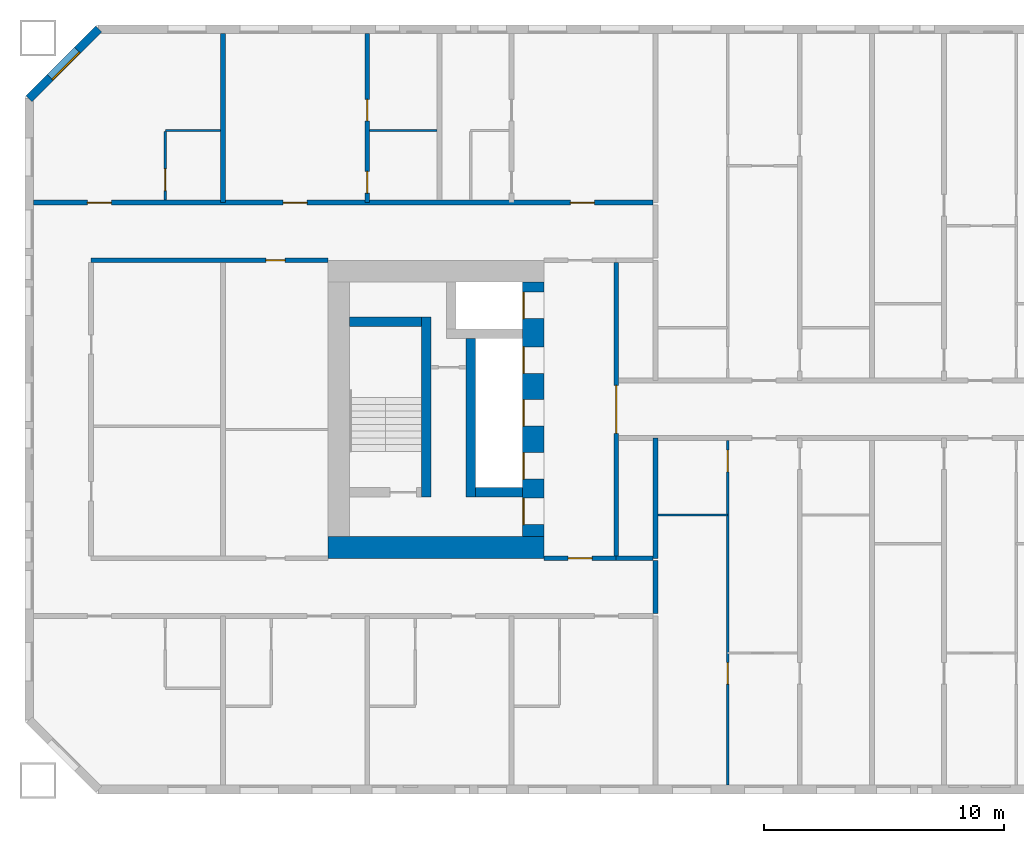
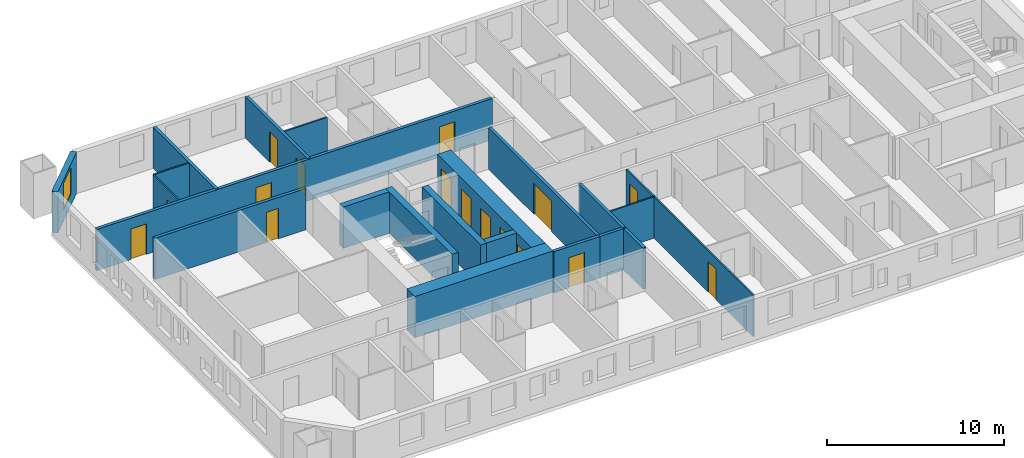
# One storey, part 4 of 17: 21 walls, 16 doors, 1 window, 17 openings.
"""IFC4 building model written with IfcOpenShell, lengths in metres."""

from ifc_helpers import new_model, si_unit, direction, frame, frame_2d, origin, place, context, subcontext, project, spatial, rectangle, extrude, material, layer, layer_set, type_object, element, fill, save


model = new_model("IFC4")

# Units and contexts
model_context = context("Model", 3, precision=1e-05, world=origin(), true_north=direction((0.0, 1.0)))
body_context = subcontext(model_context, "Body", "Model", "MODEL_VIEW")
ifc_project = project(units=[si_unit("LENGTHUNIT", "METRE"), si_unit("AREAUNIT", "SQUARE_METRE"), si_unit("VOLUMEUNIT", "CUBIC_METRE"), si_unit("PLANEANGLEUNIT", "RADIAN"), si_unit("MASSUNIT", "GRAM", prefix="KILO")], contexts=[model_context])

# Site, building, storey
site_placement = place(None, origin())
site = spatial("IfcSite", under=ifc_project, at=site_placement, CompositionType="ELEMENT")
building_placement = place(site_placement, origin())
building = spatial("IfcBuilding", under=site, at=building_placement, Name="Tuart Gate Housing", CompositionType="ELEMENT")
storey_placement = place(building_placement, frame((0.0, 0.0, 28.800048828125)))
storey = spatial("IfcBuildingStorey", under=building, at=storey_placement, Name="L07", CompositionType="ELEMENT", Elevation=28.800048828125)

# Wall, opening, window
ifc_material_1 = material(Name="Brick", Category="masonry")
ifc_layer_1 = layer(ifc_material_1, 0.360107421875)
ifc_layer_set_1 = layer_set([ifc_layer_1], Name="Brick pier and spandrel wall 360")
wall_type_1 = type_object("IfcWallType", Name="Brick pier and spandrel wall 360", PredefinedType="STANDARD", material=ifc_layer_set_1)
wall_1_placement = place(storey_placement, frame((22.82470703125, 85.820068359375, 0.0), z_axis=(0.0, 0.0, 1.0), x_axis=(-0.707106781187, -0.707106781187, 0.0)))
wall_1 = element("IfcWall", 1, at=wall_1_placement, inside=storey, type_object=wall_type_1, Name="External wall A-NW L07", PredefinedType="STANDARD", context=body_context, shape_type="SweptSolid", body=[
    extrude(rectangle(XDim=4.09375, YDim=0.360107421875, at=frame_2d((2.046875, 0.0))), origin(), (0.0, 0.0, 1.0), 2.849853515625),
])
opening_1_placement = place(wall_1_placement, frame((1.2470703125, 0.0, 0.800048828125)))
opening_1 = element("IfcOpeningElement", 2, at=opening_1_placement, cuts=wall_1, Name="Opening W1", PredefinedType="OPENING", context=body_context, shape_type="SweptSolid", body=[
    extrude(rectangle(XDim=1.60009765625, YDim=1.800048828125, at=frame_2d((0.800048828125, 0.89990234375))), frame((0.0, 0.18994140625, 0.0), z_axis=(0.0, -1.0, 0.0), x_axis=(1.0, 0.0, 0.0)), (0.0, 0.0, 1.0), 0.380126953125),
])
ifc_material_2 = material(Name="Aluminium frame with clear glass", Category="aluminium")
window_type = type_object("IfcWindowType", Name="Punched window 1600 x 1800", PartitioningType="SINGLE_PANEL", PredefinedType="WINDOW", material=ifc_material_2)
window_placement = place(opening_1_placement, origin())
window = element("IfcWindow", 3, at=window_placement, inside=storey, type_object=window_type, Name="Window W1", OverallHeight=1.800048828125, OverallWidth=1.60009765625, PartitioningType="SINGLE_PANEL", PredefinedType="WINDOW", context=body_context, shape_type="SweptSolid", body=[
    extrude(rectangle(XDim=1.60009765625, YDim=1.800048828125, at=frame_2d((0.800048828125, 0.89990234375))), frame((0.0, 0.150146484375, 0.0), z_axis=(0.0, -1.0, 0.0), x_axis=(1.0, 0.0, 0.0)), (0.0, 0.0, 1.0), 0.06005859375),
])
fill(opening_1, window)

# Walls
ifc_material_3 = material(Name="Concrete C60", Category="concrete")
ifc_layer_2 = layer(ifc_material_3, 0.39990234375)
ifc_layer_set_2 = layer_set([ifc_layer_2], Name="Core wall 400 C60")
wall_type_2 = type_object("IfcWallType", Name="Core wall 400 C60", PredefinedType="SHEAR", material=ifc_layer_set_2)
wall_2_placement = place(storey_placement, frame((36.260009765625, 73.64990234375, 0.0), z_axis=(0.0, 0.0, 1.0), x_axis=(-1.0, 0.0, 0.0)))
element("IfcWall", 4, at=wall_2_placement, inside=storey, type_object=wall_type_2, Name="Core wall AK.1", PredefinedType="SHEAR", context=body_context, shape_type="SweptSolid", body=[
    extrude(rectangle(XDim=3.0, YDim=0.39990234375, at=frame_2d((1.5, 0.0))), origin(), (0.0, 0.0, 1.0), 2.849853515625),
])
wall_3_placement = place(storey_placement, frame((40.4599609375, 66.550048828125, 0.0), z_axis=(0.0, 0.0, 1.0), x_axis=(-1.0, 0.0, 0.0)))
element("IfcWall", 5, at=wall_3_placement, inside=storey, type_object=wall_type_2, Name="Core wall AK.4", PredefinedType="SHEAR", context=body_context, shape_type="SweptSolid", body=[
    extrude(rectangle(XDim=1.949951171875, YDim=0.39990234375, at=frame_2d((0.97509765625, 0.0))), origin(), (0.0, 0.0, 1.0), 2.849853515625),
])
wall_4_placement = place(storey_placement, frame((38.31005859375, 72.949951171875, 0.0), z_axis=(0.0, 0.0, 1.0), x_axis=(0.0, -1.0, 0.0)))
element("IfcWall", 6, at=wall_4_placement, inside=storey, type_object=wall_type_2, Name="Core wall AK.6", PredefinedType="SHEAR", context=body_context, shape_type="SweptSolid", body=[
    extrude(rectangle(XDim=6.599853515625, YDim=0.39990234375, at=frame_2d((3.2998046875, 0.0))), origin(), (0.0, 0.0, 1.0), 2.849853515625),
])
wall_5_placement = place(storey_placement, frame((36.4599609375, 73.85009765625, 0.0), z_axis=(0.0, 0.0, 1.0), x_axis=(0.0, -1.0, 0.0)))
element("IfcWall", 7, at=wall_5_placement, inside=storey, type_object=wall_type_2, Name="Core wall AK.8", PredefinedType="SHEAR", context=body_context, shape_type="SweptSolid", body=[
    extrude(rectangle(XDim=7.5, YDim=0.39990234375, at=frame_2d((3.75, 0.0))), origin(), (0.0, 0.0, 1.0), 2.849853515625),
])

# Wall, openings, doors
ifc_material_4 = material(Name="Concrete C60", Category="concrete")
ifc_layer_3 = layer(ifc_material_4, 0.89990234375)
ifc_layer_set_3 = layer_set([ifc_layer_3], Name="Core wall 900 C60")
wall_type_3 = type_object("IfcWallType", Name="Core wall 900 C60", PredefinedType="SHEAR", material=ifc_layer_set_3)
wall_6_placement = place(storey_placement, frame((40.909912109375, 75.300048828125, 0.0), z_axis=(0.0, 0.0, 1.0), x_axis=(0.0, -1.0, 0.0)))
wall_6 = element("IfcWall", 8, at=wall_6_placement, inside=storey, type_object=wall_type_3, Name="Core wall AK front", PredefinedType="SHEAR", context=body_context, shape_type="SweptSolid", body=[
    extrude(rectangle(XDim=10.60009765625, YDim=0.89990234375, at=frame_2d((5.300048828125, 0.0))), origin(), (0.0, 0.0, 1.0), 2.849853515625),
])
opening_2_placement = place(wall_6_placement, frame((0.425048828125, 0.0, 0.0)))
opening_2 = element("IfcOpeningElement", 9, at=opening_2_placement, cuts=wall_6, Name="Opening LD-FA2", PredefinedType="OPENING", context=body_context, shape_type="SweptSolid", body=[
    extrude(rectangle(XDim=1.10009765625, YDim=2.10009765625, at=frame_2d((0.550048828125, 1.050048828125))), frame((0.0, 0.4599609375, 0.0), z_axis=(0.0, -1.0, 0.0), x_axis=(1.0, 0.0, 0.0)), (0.0, 0.0, 1.0), 0.919921875),
])
opening_3_placement = place(wall_6_placement, frame((2.699951171875, 0.0, 0.0)))
opening_3 = element("IfcOpeningElement", 10, at=opening_3_placement, cuts=wall_6, Name="Opening LD-LA4", PredefinedType="OPENING", context=body_context, shape_type="SweptSolid", body=[
    extrude(rectangle(XDim=1.10009765625, YDim=2.10009765625, at=frame_2d((0.550048828125, 1.050048828125))), frame((0.0, 0.4599609375, 0.0), z_axis=(0.0, -1.0, 0.0), x_axis=(1.0, 0.0, 0.0)), (0.0, 0.0, 1.0), 0.919921875),
])
opening_4_placement = place(wall_6_placement, frame((4.89990234375, 0.0, 0.0)))
opening_4 = element("IfcOpeningElement", 11, at=opening_4_placement, cuts=wall_6, Name="Opening LD-LA5", PredefinedType="OPENING", context=body_context, shape_type="SweptSolid", body=[
    extrude(rectangle(XDim=1.10009765625, YDim=2.10009765625, at=frame_2d((0.550048828125, 1.050048828125))), frame((0.0, 0.4599609375, 0.0), z_axis=(0.0, -1.0, 0.0), x_axis=(1.0, 0.0, 0.0)), (0.0, 0.0, 1.0), 0.919921875),
])
opening_5_placement = place(wall_6_placement, frame((7.10009765625, 0.0, 0.0)))
opening_5 = element("IfcOpeningElement", 12, at=opening_5_placement, cuts=wall_6, Name="Opening LD-LA6", PredefinedType="OPENING", context=body_context, shape_type="SweptSolid", body=[
    extrude(rectangle(XDim=1.10009765625, YDim=2.10009765625, at=frame_2d((0.550048828125, 1.050048828125))), frame((0.0, 0.4599609375, 0.0), z_axis=(0.0, -1.0, 0.0), x_axis=(1.0, 0.0, 0.0)), (0.0, 0.0, 1.0), 0.919921875),
])
opening_6_placement = place(wall_6_placement, frame((9.0, 0.0, 0.0)))
opening_6 = element("IfcOpeningElement", 13, at=opening_6_placement, cuts=wall_6, Name="Opening D498", PredefinedType="OPENING", context=body_context, shape_type="SweptSolid", body=[
    extrude(rectangle(XDim=1.10009765625, YDim=2.10009765625, at=frame_2d((0.550048828125, 1.050048828125))), frame((0.0, 0.4599609375, 0.0), z_axis=(0.0, -1.0, 0.0), x_axis=(1.0, 0.0, 0.0)), (0.0, 0.0, 1.0), 0.919921875),
])
ifc_material_5 = material(Name="Stainless steel", Category="steel")
door_type_1 = type_object("IfcDoorType", Name="Landing door 1100 x 2100", OperationType="DOUBLE_DOOR_SLIDING", PredefinedType="DOOR", material=ifc_material_5)
door_1_placement = place(opening_2_placement, origin())
door_1 = element("IfcDoor", 14, at=door_1_placement, inside=storey, type_object=door_type_1, Name="Lift landing door FA2", OperationType="DOUBLE_DOOR_SLIDING", OverallHeight=2.10009765625, OverallWidth=1.10009765625, PredefinedType="DOOR", context=body_context, shape_type="SweptSolid", body=[
    extrude(rectangle(XDim=1.10009765625, YDim=2.10009765625, at=frame_2d((0.550048828125, 1.050048828125))), frame((0.0, -0.384765625, 0.0), z_axis=(0.0, -1.0, 0.0), x_axis=(1.0, 0.0, 0.0)), (0.0, 0.0, 1.0), 0.050048828125),
])
fill(opening_2, door_1)
door_2_placement = place(opening_3_placement, origin())
door_2 = element("IfcDoor", 15, at=door_2_placement, inside=storey, type_object=door_type_1, Name="Lift landing door LA4", OperationType="DOUBLE_DOOR_SLIDING", OverallHeight=2.10009765625, OverallWidth=1.10009765625, PredefinedType="DOOR", context=body_context, shape_type="SweptSolid", body=[
    extrude(rectangle(XDim=1.10009765625, YDim=2.10009765625, at=frame_2d((0.550048828125, 1.050048828125))), frame((0.0, -0.384765625, 0.0), z_axis=(0.0, -1.0, 0.0), x_axis=(1.0, 0.0, 0.0)), (0.0, 0.0, 1.0), 0.050048828125),
])
fill(opening_3, door_2)
door_3_placement = place(opening_4_placement, origin())
door_3 = element("IfcDoor", 16, at=door_3_placement, inside=storey, type_object=door_type_1, Name="Lift landing door LA5", OperationType="DOUBLE_DOOR_SLIDING", OverallHeight=2.10009765625, OverallWidth=1.10009765625, PredefinedType="DOOR", context=body_context, shape_type="SweptSolid", body=[
    extrude(rectangle(XDim=1.10009765625, YDim=2.10009765625, at=frame_2d((0.550048828125, 1.050048828125))), frame((0.0, -0.384765625, 0.0), z_axis=(0.0, -1.0, 0.0), x_axis=(1.0, 0.0, 0.0)), (0.0, 0.0, 1.0), 0.050048828125),
])
fill(opening_4, door_3)
door_4_placement = place(opening_5_placement, origin())
door_4 = element("IfcDoor", 17, at=door_4_placement, inside=storey, type_object=door_type_1, Name="Lift landing door LA6", OperationType="DOUBLE_DOOR_SLIDING", OverallHeight=2.10009765625, OverallWidth=1.10009765625, PredefinedType="DOOR", context=body_context, shape_type="SweptSolid", body=[
    extrude(rectangle(XDim=1.10009765625, YDim=2.10009765625, at=frame_2d((0.550048828125, 1.050048828125))), frame((0.0, -0.384765625, 0.0), z_axis=(0.0, -1.0, 0.0), x_axis=(1.0, 0.0, 0.0)), (0.0, 0.0, 1.0), 0.050048828125),
])
fill(opening_5, door_4)
ifc_material_6 = material(Name="Steel fire door", Category="steel")
door_type_2 = type_object("IfcDoorType", Name="Lobby door 1100 x 2100 RH", OperationType="SINGLE_SWING_RIGHT", PredefinedType="DOOR", material=ifc_material_6)
door_5_placement = place(opening_6_placement, frame((1.10009765625, 0.0, 0.0), z_axis=(0.0, 0.0, 1.0), x_axis=(-1.0, 0.0, 0.0)))
door_5 = element("IfcDoor", 18, at=door_5_placement, inside=storey, type_object=door_type_2, Name="Lobby entry door AK.EN", OperationType="SINGLE_SWING_RIGHT", OverallHeight=2.10009765625, OverallWidth=1.10009765625, PredefinedType="DOOR", context=body_context, shape_type="SweptSolid", body=[
    extrude(rectangle(XDim=1.10009765625, YDim=2.10009765625, at=frame_2d((0.550048828125, 1.050048828125))), frame((0.0, 0.434814453125, 0.0), z_axis=(0.0, -1.0, 0.0), x_axis=(1.0, 0.0, 0.0)), (0.0, 0.0, 1.0), 0.050048828125),
])
fill(opening_6, door_5)

# Walls
wall_7_placement = place(storey_placement, frame((41.360107421875, 64.25, 0.0), z_axis=(0.0, 0.0, 1.0), x_axis=(-1.0, 0.0, 0.0)))
element("IfcWall", 19, at=wall_7_placement, inside=storey, type_object=wall_type_3, Name="Core wall AK north", PredefinedType="SHEAR", context=body_context, shape_type="SweptSolid", body=[
    extrude(rectangle(XDim=9.0, YDim=0.89990234375, at=frame_2d((4.5, 0.0))), origin(), (0.0, 0.0, 1.0), 2.849853515625),
])
ifc_material_7 = material(Name="Concrete masonry 15 MPa", Category="masonry")
ifc_layer_4 = layer(ifc_material_7, 0.199951171875)
ifc_layer_set_4 = layer_set([ifc_layer_4], Name="Corridor wall masonry 200")
wall_type_4 = type_object("IfcWallType", Name="Corridor wall masonry 200", PredefinedType="PARTITIONING", material=ifc_layer_set_4)
wall_8_placement = place(storey_placement, frame((44.360107421875, 63.800048828125, 0.0), z_axis=(0.0, 0.0, 1.0), x_axis=(1.0, 0.0, 0.0)))
element("IfcWall", 20, at=wall_8_placement, inside=storey, type_object=wall_type_4, Name="Corridor wall masonry 200", PredefinedType="PARTITIONING", context=body_context, shape_type="SweptSolid", body=[
    extrude(rectangle(XDim=1.539794921875, YDim=0.199951171875, at=frame_2d((0.77001953125, 0.0))), origin(), (0.0, 0.0, 1.0), 2.849853515625),
])

# Wall, opening, door
wall_9_placement = place(storey_placement, frame((22.510009765625, 76.199951171875, 0.0), z_axis=(0.0, 0.0, 1.0), x_axis=(1.0, 0.0, 0.0)))
wall_9 = element("IfcWall", 21, at=wall_9_placement, inside=storey, type_object=wall_type_4, Name="Corridor wall masonry 200", PredefinedType="PARTITIONING", context=body_context, shape_type="SweptSolid", body=[
    extrude(rectangle(XDim=9.85009765625, YDim=0.199951171875, at=frame_2d((4.925048828125, 0.0))), origin(), (0.0, 0.0, 1.0), 2.849853515625),
])
opening_7_placement = place(wall_9_placement, frame((7.27001953125, 0.0, 0.0)))
opening_7 = element("IfcOpeningElement", 22, at=opening_7_placement, cuts=wall_9, Name="Opening D489", PredefinedType="OPENING", context=body_context, shape_type="SweptSolid", body=[
    extrude(rectangle(XDim=0.800048828125, YDim=2.10009765625, at=frame_2d((0.39990234375, 1.050048828125))), frame((0.0, 0.10986328125, 0.0), z_axis=(0.0, -1.0, 0.0), x_axis=(1.0, 0.0, 0.0)), (0.0, 0.0, 1.0), 0.219970703125),
])
ifc_material_8 = material(Name="Timber door leaf in steel frame", Category="steel")
door_type_3 = type_object("IfcDoorType", Name="Store door 800 RH", OperationType="SINGLE_SWING_RIGHT", PredefinedType="DOOR", material=ifc_material_8)
door_6_placement = place(opening_7_placement, frame((0.800048828125, 0.0, 0.0), z_axis=(0.0, 0.0, 1.0), x_axis=(-1.0, 0.0, 0.0)))
door_6 = element("IfcDoor", 23, at=door_6_placement, inside=storey, type_object=door_type_3, Name="Store door", OperationType="SINGLE_SWING_RIGHT", OverallHeight=2.10009765625, OverallWidth=0.800048828125, PredefinedType="DOOR", context=body_context, shape_type="SweptSolid", body=[
    extrude(rectangle(XDim=0.800048828125, YDim=2.10009765625, at=frame_2d((0.400146484375, 1.050048828125))), frame((0.0, 0.025146484375, 0.0), z_axis=(0.0, -1.0, 0.0), x_axis=(1.0, 0.0, 0.0)), (0.0, 0.0, 1.0), 0.050048828125),
])
fill(opening_7, door_6)

# Wall, openings, doors
wall_10_placement = place(storey_placement, frame((20.110107421875, 78.60009765625, 0.0), z_axis=(0.0, 0.0, 1.0), x_axis=(1.0, 0.0, 0.0)))
wall_10 = element("IfcWall", 24, at=wall_10_placement, inside=storey, type_object=wall_type_4, Name="Corridor wall masonry 200", PredefinedType="PARTITIONING", context=body_context, shape_type="SweptSolid", body=[
    extrude(rectangle(XDim=25.789794921875, YDim=0.199951171875, at=frame_2d((12.89501953125, 0.0))), origin(), (0.0, 0.0, 1.0), 2.849853515625),
])
opening_8_placement = place(wall_10_placement, frame((22.340087890625, 0.0, 0.0)))
opening_8 = element("IfcOpeningElement", 25, at=opening_8_placement, cuts=wall_10, Name="Opening D477", PredefinedType="OPENING", context=body_context, shape_type="SweptSolid", body=[
    extrude(rectangle(XDim=1.0, YDim=2.10009765625, at=frame_2d((0.5, 1.050048828125))), frame((0.0, 0.10986328125, 0.0), z_axis=(0.0, -1.0, 0.0), x_axis=(1.0, 0.0, 0.0)), (0.0, 0.0, 1.0), 0.219970703125),
])
opening_9_placement = place(wall_10_placement, frame((10.389892578125, 0.0, 0.0)))
opening_9 = element("IfcOpeningElement", 26, at=opening_9_placement, cuts=wall_10, Name="Opening D478", PredefinedType="OPENING", context=body_context, shape_type="SweptSolid", body=[
    extrude(rectangle(XDim=1.0, YDim=2.10009765625, at=frame_2d((0.5, 1.050048828125))), frame((0.0, 0.10986328125, 0.0), z_axis=(0.0, -1.0, 0.0), x_axis=(1.0, 0.0, 0.0)), (0.0, 0.0, 1.0), 0.219970703125),
])
opening_10_placement = place(wall_10_placement, frame((2.2451171875, 0.0, 0.0)))
opening_10 = element("IfcOpeningElement", 27, at=opening_10_placement, cuts=wall_10, Name="Opening D479", PredefinedType="OPENING", context=body_context, shape_type="SweptSolid", body=[
    extrude(rectangle(XDim=1.0, YDim=2.10009765625, at=frame_2d((0.5, 1.050048828125))), frame((0.0, 0.10986328125, 0.0), z_axis=(0.0, -1.0, 0.0), x_axis=(1.0, 0.0, 0.0)), (0.0, 0.0, 1.0), 0.219970703125),
])
ifc_material_9 = material(Name="Timber door leaf in steel frame", Category="steel")
door_type_4 = type_object("IfcDoorType", Name="Flat entrance door 1000", OperationType="SINGLE_SWING_LEFT", PredefinedType="DOOR", material=ifc_material_9)
door_7_placement = place(opening_8_placement, origin())
door_7 = element("IfcDoor", 28, at=door_7_placement, inside=storey, type_object=door_type_4, Name="Flat entrance door", OperationType="SINGLE_SWING_LEFT", OverallHeight=2.10009765625, OverallWidth=1.0, PredefinedType="DOOR", context=body_context, shape_type="SweptSolid", body=[
    extrude(rectangle(XDim=1.0, YDim=2.10009765625, at=frame_2d((0.5, 1.050048828125))), frame((0.0, 0.02490234375, 0.0), z_axis=(0.0, -1.0, 0.0), x_axis=(1.0, 0.0, 0.0)), (0.0, 0.0, 1.0), 0.050048828125),
])
fill(opening_8, door_7)
door_8_placement = place(opening_9_placement, origin())
door_8 = element("IfcDoor", 29, at=door_8_placement, inside=storey, type_object=door_type_4, Name="Flat entrance door", OperationType="SINGLE_SWING_LEFT", OverallHeight=2.10009765625, OverallWidth=1.0, PredefinedType="DOOR", context=body_context, shape_type="SweptSolid", body=[
    extrude(rectangle(XDim=1.0, YDim=2.10009765625, at=frame_2d((0.5, 1.050048828125))), frame((0.0, 0.02490234375, 0.0), z_axis=(0.0, -1.0, 0.0), x_axis=(1.0, 0.0, 0.0)), (0.0, 0.0, 1.0), 0.050048828125),
])
fill(opening_9, door_8)
door_9_placement = place(opening_10_placement, origin())
door_9 = element("IfcDoor", 30, at=door_9_placement, inside=storey, type_object=door_type_4, Name="Flat entrance door", OperationType="SINGLE_SWING_LEFT", OverallHeight=2.10009765625, OverallWidth=1.0, PredefinedType="DOOR", context=body_context, shape_type="SweptSolid", body=[
    extrude(rectangle(XDim=1.0, YDim=2.10009765625, at=frame_2d((0.5, 1.050048828125))), frame((0.0, 0.02490234375, 0.0), z_axis=(0.0, -1.0, 0.0), x_axis=(1.0, 0.0, 0.0)), (0.0, 0.0, 1.0), 0.050048828125),
])
fill(opening_10, door_9)

# Wall
wall_11_placement = place(storey_placement, frame((46.0, 61.5, 0.0), z_axis=(0.0, 0.0, 1.0), x_axis=(0.0, 1.0, 0.0)))
element("IfcWall", 31, at=wall_11_placement, inside=storey, type_object=wall_type_4, Name="Corridor wall masonry 200", PredefinedType="PARTITIONING", context=body_context, shape_type="SweptSolid", body=[
    extrude(rectangle(XDim=2.199951171875, YDim=0.199951171875, at=frame_2d((1.10009765625, 0.0))), origin(), (0.0, 0.0, 1.0), 2.849853515625),
])

# Wall, opening, door
ifc_material_10 = material(Name="Concrete masonry 15 MPa", Category="masonry")
ifc_layer_5 = layer(ifc_material_10, 0.199951171875)
ifc_layer_set_5 = layer_set([ifc_layer_5], Name="Enclosure wall masonry 200")
wall_type_5 = type_object("IfcWallType", Name="Enclosure wall masonry 200", PredefinedType="PARTITIONING", material=ifc_layer_set_5)
wall_12_placement = place(storey_placement, frame((41.360107421875, 63.800048828125, 0.0), z_axis=(0.0, 0.0, 1.0), x_axis=(1.0, 0.0, 0.0)))
wall_12 = element("IfcWall", 32, at=wall_12_placement, inside=storey, type_object=wall_type_5, Name="Enclosure wall masonry 200", PredefinedType="PARTITIONING", context=body_context, shape_type="SweptSolid", body=[
    extrude(rectangle(XDim=3.0, YDim=0.199951171875, at=frame_2d((1.5, 0.0))), origin(), (0.0, 0.0, 1.0), 2.849853515625),
])
opening_11_placement = place(wall_12_placement, frame((1.0, 0.0, 0.0)))
opening_11 = element("IfcOpeningElement", 33, at=opening_11_placement, cuts=wall_12, Name="Opening D508", PredefinedType="OPENING", context=body_context, shape_type="SweptSolid", body=[
    extrude(rectangle(XDim=1.0, YDim=2.10009765625, at=frame_2d((0.5, 1.050048828125))), frame((0.0, 0.10986328125, 0.0), z_axis=(0.0, -1.0, 0.0), x_axis=(1.0, 0.0, 0.0)), (0.0, 0.0, 1.0), 0.219970703125),
])
ifc_material_11 = material(Name="Timber door leaf in steel frame", Category="steel")
door_type_5 = type_object("IfcDoorType", Name="Fire door 1000", OperationType="SINGLE_SWING_LEFT", PredefinedType="DOOR", material=ifc_material_11)
door_10_placement = place(opening_11_placement, frame((1.0, 0.0, 0.0), z_axis=(0.0, 0.0, 1.0), x_axis=(-1.0, 0.0, 0.0)))
door_10 = element("IfcDoor", 34, at=door_10_placement, inside=storey, type_object=door_type_5, Name="Fire door", OperationType="SINGLE_SWING_LEFT", OverallHeight=2.10009765625, OverallWidth=1.0, PredefinedType="DOOR", context=body_context, shape_type="SweptSolid", body=[
    extrude(rectangle(XDim=1.0, YDim=2.10009765625, at=frame_2d((0.5, 1.050048828125))), frame((0.0, 0.025146484375, 0.0), z_axis=(0.0, -1.0, 0.0), x_axis=(1.0, 0.0, 0.0)), (0.0, 0.0, 1.0), 0.050048828125),
])
fill(opening_11, door_10)

ifc_material_12 = material(Name="Plasterboard partition")
ifc_layer_6 = layer(ifc_material_12, 0.199951171875)
ifc_layer_set_6 = layer_set([ifc_layer_6], Name="Lobby wall 200")
wall_type_6 = type_object("IfcWallType", Name="Lobby wall 200", PredefinedType="PARTITIONING", material=ifc_layer_set_6)
wall_13_placement = place(storey_placement, frame((44.360107421875, 63.89990234375, 0.0), z_axis=(0.0, 0.0, 1.0), x_axis=(0.0, 1.0, 0.0)))
wall_13 = element("IfcWall", 35, at=wall_13_placement, inside=storey, type_object=wall_type_6, Name="Lift lobby wall AK", PredefinedType="PARTITIONING", context=body_context, shape_type="SweptSolid", body=[
    extrude(rectangle(XDim=12.2001953125, YDim=0.199951171875, at=frame_2d((6.10009765625, 0.0))), origin(), (0.0, 0.0, 1.0), 2.849853515625),
])
opening_12_placement = place(wall_13_placement, frame((5.10009765625, 0.0, 0.0)))
opening_12 = element("IfcOpeningElement", 36, at=opening_12_placement, cuts=wall_13, Name="Opening D499", PredefinedType="OPENING", context=body_context, shape_type="SweptSolid", body=[
    extrude(rectangle(XDim=2.0, YDim=2.10009765625, at=frame_2d((1.0, 1.050048828125))), frame((0.0, 0.10986328125, 0.0), z_axis=(0.0, -1.0, 0.0), x_axis=(1.0, 0.0, 0.0)), (0.0, 0.0, 1.0), 0.219970703125),
])
ifc_material_13 = material(Name="Steel fire door", Category="steel")
door_type_6 = type_object("IfcDoorType", Name="Smoke door 2000 x 2100", OperationType="DOUBLE_DOOR_SINGLE_SWING", PredefinedType="DOOR", material=ifc_material_13)
door_11_placement = place(opening_12_placement, origin())
door_11 = element("IfcDoor", 37, at=door_11_placement, inside=storey, type_object=door_type_6, Name="Lift lobby smoke door AK", OperationType="DOUBLE_DOOR_SINGLE_SWING", OverallHeight=2.10009765625, OverallWidth=2.0, PredefinedType="DOOR", context=body_context, shape_type="SweptSolid", body=[
    extrude(rectangle(XDim=2.0, YDim=2.10009765625, at=frame_2d((1.0, 1.050048828125))), frame((0.0, 0.02490234375, 0.0), z_axis=(0.0, -1.0, 0.0), x_axis=(1.0, 0.0, 0.0)), (0.0, 0.0, 1.0), 0.050048828125),
])
fill(opening_12, door_11)

# Walls
ifc_material_14 = material(Name="Gypsum board on steel studs", Category="steel")
ifc_layer_7 = layer(ifc_material_14, 0.10009765625)
ifc_layer_set_7 = layer_set([ifc_layer_7], Name="Partition 100")
wall_type_7 = type_object("IfcWallType", Name="Partition 100", PredefinedType="PARTITIONING", material=ifc_layer_set_7)
wall_14_placement = place(storey_placement, frame((46.10009765625, 65.60009765625, 0.0), z_axis=(0.0, 0.0, 1.0), x_axis=(1.0, 0.0, 0.0)))
element("IfcWall", 38, at=wall_14_placement, inside=storey, type_object=wall_type_7, Name="Partition 100", PredefinedType="PARTITIONING", context=body_context, shape_type="SweptSolid", body=[
    extrude(rectangle(XDim=2.89990234375, YDim=0.10009765625, at=frame_2d((1.449951171875, 0.0))), origin(), (0.0, 0.0, 1.0), 2.849853515625),
])
wall_15_placement = place(storey_placement, frame((25.60009765625, 81.60009765625, 0.0), z_axis=(0.0, 0.0, 1.0), x_axis=(1.0, 0.0, 0.0)))
element("IfcWall", 39, at=wall_15_placement, inside=storey, type_object=wall_type_7, Name="Partition 100", PredefinedType="PARTITIONING", context=body_context, shape_type="SweptSolid", body=[
    extrude(rectangle(XDim=2.2998046875, YDim=0.10009765625, at=frame_2d((1.14990234375, 0.0))), origin(), (0.0, 0.0, 1.0), 2.849853515625),
])
wall_16_placement = place(storey_placement, frame((34.10009765625, 81.60009765625, 0.0), z_axis=(0.0, 0.0, 1.0), x_axis=(1.0, 0.0, 0.0)))
element("IfcWall", 40, at=wall_16_placement, inside=storey, type_object=wall_type_7, Name="Partition 100", PredefinedType="PARTITIONING", context=body_context, shape_type="SweptSolid", body=[
    extrude(rectangle(XDim=2.7998046875, YDim=0.10009765625, at=frame_2d((1.39990234375, 0.0))), origin(), (0.0, 0.0, 1.0), 2.849853515625),
])

# Wall, opening, door
wall_17_placement = place(storey_placement, frame((25.60009765625, 78.699951171875, 0.0), z_axis=(0.0, 0.0, 1.0), x_axis=(0.0, 1.0, 0.0)))
wall_17 = element("IfcWall", 41, at=wall_17_placement, inside=storey, type_object=wall_type_7, Name="Partition 100", PredefinedType="PARTITIONING", context=body_context, shape_type="SweptSolid", body=[
    extrude(rectangle(XDim=2.85009765625, YDim=0.10009765625, at=frame_2d((1.425048828125, 0.0))), origin(), (0.0, 0.0, 1.0), 2.849853515625),
])
opening_13_placement = place(wall_17_placement, frame((0.39990234375, 0.0, 0.0)))
opening_13 = element("IfcOpeningElement", 42, at=opening_13_placement, cuts=wall_17, Name="Opening D474", PredefinedType="OPENING", context=body_context, shape_type="SweptSolid", body=[
    extrude(rectangle(XDim=0.89990234375, YDim=2.10009765625, at=frame_2d((0.449951171875, 1.050048828125))), frame((0.0, 0.06005859375, 0.0), z_axis=(0.0, -1.0, 0.0), x_axis=(1.0, 0.0, 0.0)), (0.0, 0.0, 1.0), 0.1201171875),
])
ifc_material_15 = material(Name="Timber door leaf in steel frame", Category="steel")
door_type_7 = type_object("IfcDoorType", Name="Bathroom door 900 RH", OperationType="SINGLE_SWING_RIGHT", PredefinedType="DOOR", material=ifc_material_15)
door_12_placement = place(opening_13_placement, frame((0.89990234375, 0.0, 0.0), z_axis=(0.0, 0.0, 1.0), x_axis=(-1.0, 0.0, 0.0)))
door_12 = element("IfcDoor", 43, at=door_12_placement, inside=storey, type_object=door_type_7, Name="Bathroom door", OperationType="SINGLE_SWING_RIGHT", OverallHeight=2.10009765625, OverallWidth=0.89990234375, PredefinedType="DOOR", context=body_context, shape_type="SweptSolid", body=[
    extrude(rectangle(XDim=0.89990234375, YDim=2.10009765625, at=frame_2d((0.449951171875, 1.050048828125))), frame((0.0, 0.025146484375, 0.0), z_axis=(0.0, -1.0, 0.0), x_axis=(1.0, 0.0, 0.0)), (0.0, 0.0, 1.0), 0.050048828125),
])
fill(opening_13, door_12)

# Wall, openings, doors
wall_18_placement = place(storey_placement, frame((49.0, 54.360107421875, 0.0), z_axis=(0.0, 0.0, 1.0), x_axis=(0.0, 1.0, 0.0)))
wall_18 = element("IfcWall", 44, at=wall_18_placement, inside=storey, type_object=wall_type_7, Name="Partition 100", PredefinedType="PARTITIONING", context=body_context, shape_type="SweptSolid", body=[
    extrude(rectangle(XDim=14.33984375, YDim=0.10009765625, at=frame_2d((7.169921875, 0.0))), origin(), (0.0, 0.0, 1.0), 2.849853515625),
])
opening_14_placement = place(wall_18_placement, frame((4.199951171875, 0.0, 0.0)))
opening_14 = element("IfcOpeningElement", 45, at=opening_14_placement, cuts=wall_18, Name="Opening D515", PredefinedType="OPENING", context=body_context, shape_type="SweptSolid", body=[
    extrude(rectangle(XDim=0.89990234375, YDim=2.10009765625, at=frame_2d((0.449951171875, 1.050048828125))), frame((0.0, 0.06005859375, 0.0), z_axis=(0.0, -1.0, 0.0), x_axis=(1.0, 0.0, 0.0)), (0.0, 0.0, 1.0), 0.1201171875),
])
opening_15_placement = place(wall_18_placement, frame((13.0400390625, 0.0, 0.0)))
opening_15 = element("IfcOpeningElement", 46, at=opening_15_placement, cuts=wall_18, Name="Opening D514", PredefinedType="OPENING", context=body_context, shape_type="SweptSolid", body=[
    extrude(rectangle(XDim=0.89990234375, YDim=2.10009765625, at=frame_2d((0.449951171875, 1.050048828125))), frame((0.0, 0.06005859375, 0.0), z_axis=(0.0, -1.0, 0.0), x_axis=(1.0, 0.0, 0.0)), (0.0, 0.0, 1.0), 0.1201171875),
])
door_13_placement = place(opening_15_placement, origin())
door_13 = element("IfcDoor", 47, at=door_13_placement, inside=storey, type_object=door_type_7, Name="Bathroom door", OperationType="SINGLE_SWING_RIGHT", OverallHeight=2.10009765625, OverallWidth=0.89990234375, PredefinedType="DOOR", context=body_context, shape_type="SweptSolid", body=[
    extrude(rectangle(XDim=0.89990234375, YDim=2.10009765625, at=frame_2d((0.449951171875, 1.050048828125))), frame((0.0, 0.02490234375, 0.0), z_axis=(0.0, -1.0, 0.0), x_axis=(1.0, 0.0, 0.0)), (0.0, 0.0, 1.0), 0.050048828125),
])
fill(opening_15, door_13)
ifc_material_16 = material(Name="Timber door leaf in steel frame", Category="steel")
door_type_8 = type_object("IfcDoorType", Name="Internal door 900", OperationType="SINGLE_SWING_LEFT", PredefinedType="DOOR", material=ifc_material_16)
door_14_placement = place(opening_14_placement, origin())
door_14 = element("IfcDoor", 48, at=door_14_placement, inside=storey, type_object=door_type_8, Name="Internal door", OperationType="SINGLE_SWING_LEFT", OverallHeight=2.10009765625, OverallWidth=0.89990234375, PredefinedType="DOOR", context=body_context, shape_type="SweptSolid", body=[
    extrude(rectangle(XDim=0.89990234375, YDim=2.10009765625, at=frame_2d((0.449951171875, 1.050048828125))), frame((0.0, 0.02490234375, 0.0), z_axis=(0.0, -1.0, 0.0), x_axis=(1.0, 0.0, 0.0)), (0.0, 0.0, 1.0), 0.050048828125),
])
fill(opening_14, door_14)

# Wall
ifc_material_17 = material(Name="Concrete C40", Category="concrete")
ifc_layer_8 = layer(ifc_material_17, 0.199951171875)
ifc_layer_set_8 = layer_set([ifc_layer_8], Name="Party wall concrete C40 200")
wall_type_8 = type_object("IfcWallType", Name="Party wall concrete C40 200", PredefinedType="SOLIDWALL", material=ifc_layer_set_8)
wall_19_placement = place(storey_placement, frame((28.0, 78.60009765625, 0.0), z_axis=(0.0, 0.0, 1.0), x_axis=(0.0, 1.0, 0.0)))
element("IfcWall", 49, at=wall_19_placement, inside=storey, type_object=wall_type_8, Name="Party wall concrete C40 200", PredefinedType="SOLIDWALL", context=body_context, shape_type="SweptSolid", body=[
    extrude(rectangle(XDim=7.039794921875, YDim=0.199951171875, at=frame_2d((3.52001953125, 0.0))), origin(), (0.0, 0.0, 1.0), 2.849853515625),
])

# Wall, openings, doors
wall_20_placement = place(storey_placement, frame((34.0, 78.60009765625, 0.0), z_axis=(0.0, 0.0, 1.0), x_axis=(0.0, 1.0, 0.0)))
wall_20 = element("IfcWall", 50, at=wall_20_placement, inside=storey, type_object=wall_type_8, Name="Party wall concrete C40 200", PredefinedType="SOLIDWALL", context=body_context, shape_type="SweptSolid", body=[
    extrude(rectangle(XDim=7.039794921875, YDim=0.199951171875, at=frame_2d((3.52001953125, 0.0))), origin(), (0.0, 0.0, 1.0), 2.849853515625),
])
opening_16_placement = place(wall_20_placement, frame((3.39990234375, 0.0, 0.0)))
opening_16 = element("IfcOpeningElement", 51, at=opening_16_placement, cuts=wall_20, Name="Opening D468", PredefinedType="OPENING", context=body_context, shape_type="SweptSolid", body=[
    extrude(rectangle(XDim=0.89990234375, YDim=2.10009765625, at=frame_2d((0.449951171875, 1.050048828125))), frame((0.0, 0.10986328125, 0.0), z_axis=(0.0, -1.0, 0.0), x_axis=(1.0, 0.0, 0.0)), (0.0, 0.0, 1.0), 0.219970703125),
])
opening_17_placement = place(wall_20_placement, frame((0.39990234375, 0.0, 0.0)))
opening_17 = element("IfcOpeningElement", 52, at=opening_17_placement, cuts=wall_20, Name="Opening D467", PredefinedType="OPENING", context=body_context, shape_type="SweptSolid", body=[
    extrude(rectangle(XDim=0.89990234375, YDim=2.10009765625, at=frame_2d((0.449951171875, 1.050048828125))), frame((0.0, 0.10986328125, 0.0), z_axis=(0.0, -1.0, 0.0), x_axis=(1.0, 0.0, 0.0)), (0.0, 0.0, 1.0), 0.219970703125),
])
door_15_placement = place(opening_17_placement, frame((0.89990234375, 0.0, 0.0), z_axis=(0.0, 0.0, 1.0), x_axis=(-1.0, 0.0, 0.0)))
door_15 = element("IfcDoor", 53, at=door_15_placement, inside=storey, type_object=door_type_7, Name="Bathroom door", OperationType="SINGLE_SWING_RIGHT", OverallHeight=2.10009765625, OverallWidth=0.89990234375, PredefinedType="DOOR", context=body_context, shape_type="SweptSolid", body=[
    extrude(rectangle(XDim=0.89990234375, YDim=2.10009765625, at=frame_2d((0.449951171875, 1.050048828125))), frame((0.0, 0.025146484375, 0.0), z_axis=(0.0, -1.0, 0.0), x_axis=(1.0, 0.0, 0.0)), (0.0, 0.0, 1.0), 0.050048828125),
])
fill(opening_17, door_15)
ifc_material_18 = material(Name="Timber door leaf in steel frame", Category="steel")
door_type_9 = type_object("IfcDoorType", Name="Internal door 900 RH", OperationType="SINGLE_SWING_RIGHT", PredefinedType="DOOR", material=ifc_material_18)
door_16_placement = place(opening_16_placement, frame((0.89990234375, 0.0, 0.0), z_axis=(0.0, 0.0, 1.0), x_axis=(-1.0, 0.0, 0.0)))
door_16 = element("IfcDoor", 54, at=door_16_placement, inside=storey, type_object=door_type_9, Name="Internal door", OperationType="SINGLE_SWING_RIGHT", OverallHeight=2.10009765625, OverallWidth=0.89990234375, PredefinedType="DOOR", context=body_context, shape_type="SweptSolid", body=[
    extrude(rectangle(XDim=0.89990234375, YDim=2.10009765625, at=frame_2d((0.449951171875, 1.050048828125))), frame((0.0, 0.025146484375, 0.0), z_axis=(0.0, -1.0, 0.0), x_axis=(1.0, 0.0, 0.0)), (0.0, 0.0, 1.0), 0.050048828125),
])
fill(opening_16, door_16)

# Wall
wall_21_placement = place(storey_placement, frame((46.0, 63.800048828125, 0.0), z_axis=(0.0, 0.0, 1.0), x_axis=(0.0, 1.0, 0.0)))
element("IfcWall", 55, at=wall_21_placement, inside=storey, type_object=wall_type_8, Name="Party wall concrete C40 200", PredefinedType="SOLIDWALL", context=body_context, shape_type="SweptSolid", body=[
    extrude(rectangle(XDim=5.0, YDim=0.199951171875, at=frame_2d((2.5, 0.0))), origin(), (0.0, 0.0, 1.0), 2.849853515625),
])

save(model, "model.ifc")
